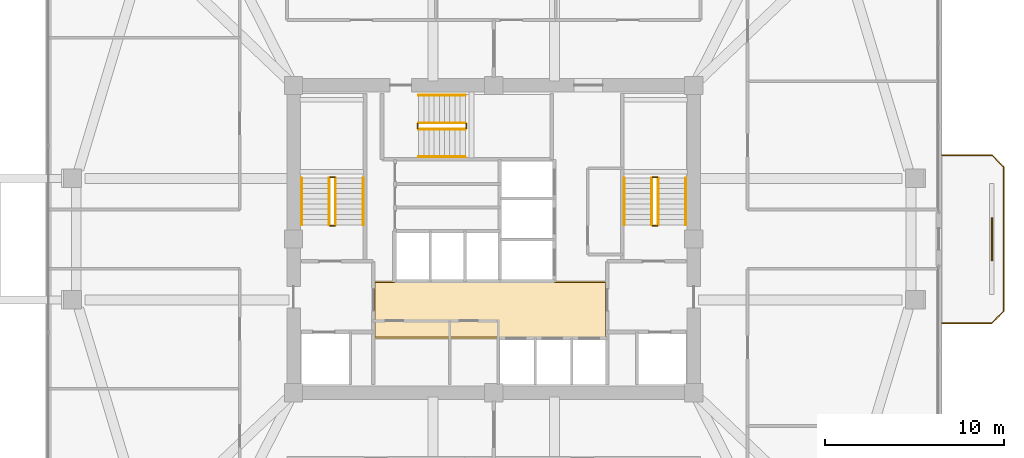
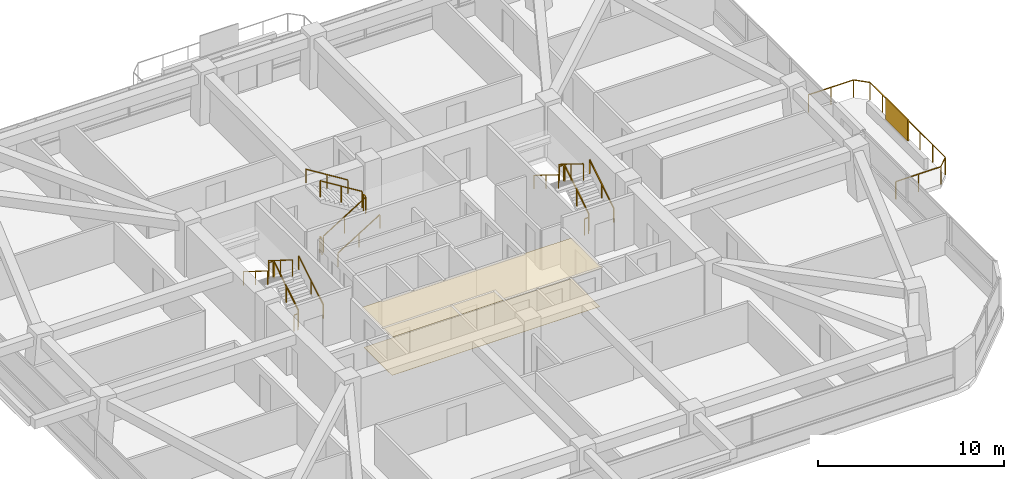
# One storey, part 12 of 13: 19 railings, 2 coverings, 1 shading device.
"""IFC4 building model written with IfcOpenShell, lengths in metres."""

from ifc_helpers import new_model, si_unit, derived_unit, direction, frame, origin, origin_2d, place, context, subcontext, project, spatial, polyline, rectangle, outline, extrude, material, layer, layer_set, type_object, element, save


model = new_model("IFC4")

# Units and contexts
model_context = context("Model", 3, precision=1e-05, world=origin(), true_north=direction((0.0, 1.0)))
body_context = subcontext(model_context, "Body", "Model", "MODEL_VIEW")
ifc_project = project(units=[si_unit("LENGTHUNIT", "METRE"), si_unit("AREAUNIT", "SQUARE_METRE"), si_unit("VOLUMEUNIT", "CUBIC_METRE"), si_unit("PLANEANGLEUNIT", "RADIAN"), si_unit("MASSUNIT", "GRAM", prefix="KILO"), derived_unit("THERMALTRANSMITTANCEUNIT", [(si_unit("POWERUNIT", "WATT"), 1), (si_unit("LENGTHUNIT", "METRE"), -2), (si_unit("THERMODYNAMICTEMPERATUREUNIT", "KELVIN"), -1)])], contexts=[model_context])

# Site, building, storey
site_placement = place(None, origin())
site = spatial("IfcSite", under=ifc_project, at=site_placement, CompositionType="ELEMENT")
building_placement = place(site_placement, origin())
building = spatial("IfcBuilding", under=site, at=building_placement, Name="Koralith Skygarden Medical Center", CompositionType="ELEMENT")
storey_placement = place(building_placement, frame((0.0, 0.0, 109.97998046875)))
storey = spatial("IfcBuildingStorey", under=building, at=storey_placement, Name="L28", CompositionType="ELEMENT", Elevation=109.97998046875)

# Covering
ifc_material_1 = material(Name="Acoustic Mineral Tile")
ifc_layer_1 = layer(ifc_material_1, 0.02001953125)
ifc_layer_set_1 = layer_set([ifc_layer_1], Name="Acoustic Mineral Tile")
covering_type_1 = type_object("IfcCoveringType", Name="Acoustic Hygienic Mineral Ceiling 20", PredefinedType="CEILING", material=ifc_layer_set_1)
covering_1_placement = place(storey_placement, frame((0.0, 0.0, 2.5849609375)))
element("IfcCovering", 1, at=covering_1_placement, inside=storey, type_object=covering_type_1, Name="L28 Core Lobby Acoustic Ceiling", PredefinedType="CEILING", context=body_context, shape_type="SweptSolid", body=[
    extrude(outline(polyline([(30.25, 20.320068359375), (43.35009765625, 20.320068359375), (43.35009765625, 23.56005859375), (30.25, 23.56005859375), (30.25, 20.320068359375)])), origin(), (0.0, 0.0, 1.0), 0.02001953125),
])

# Railing
ifc_material_2 = material(Name="Steel ASTM A500 Grade C", Category="steel")
railing_type_1 = type_object("IfcRailingType", Name="Outdoor Terrace & Balcony Safety Guardrail 1180", PredefinedType="GUARDRAIL", material=ifc_material_2)
railing_1_placement = place(storey_placement, frame((62.0859375, 21.199951171875, 0.0)))
element("IfcRailing", 2, at=railing_1_placement, inside=storey, type_object=railing_type_1, Name="L28 E Balcony Perimeter Guardrail", PredefinedType="GUARDRAIL", context=body_context, shape_type="SweptSolid", body=[
    extrude(rectangle(XDim=0.050048828125, YDim=0.050048828125, at=origin_2d()), frame((0.001953125, 0.0, 1.15478515625), z_axis=(1.0, 0.0, 0.0), x_axis=(0.0, 1.0, 0.0)), (0.0, 0.0, 1.0), 2.796142578125),
    extrude(rectangle(XDim=0.050048828125, YDim=0.050048828125, at=origin_2d()), frame((2.801513671875, 0.00146484375, 1.15478515625), z_axis=(0.706973978714, 0.707239558722, 0.0), x_axis=(-0.707239558722, 0.706973978714, 0.0)), (0.0, 0.0, 1.0), 0.915283203125),
    extrude(rectangle(XDim=0.050048828125, YDim=0.050048828125, at=origin_2d()), frame((3.449951171875, 0.652099609375, 1.15478515625), z_axis=(0.0, 1.0, 0.0), x_axis=(-1.0, 0.0, 0.0)), (0.0, 0.0, 1.0), 8.095947265625),
    extrude(rectangle(XDim=0.050048828125, YDim=0.050048828125, at=origin_2d()), frame((3.448486328125, 8.75146484375, 1.15478515625), z_axis=(-0.706973978714, 0.707239558722, 0.0), x_axis=(-0.707239558722, -0.706973978714, 0.0)), (0.0, 0.0, 1.0), 0.915283203125),
    extrude(rectangle(XDim=0.050048828125, YDim=0.050048828125, at=origin_2d()), frame((2.798095703125, 9.400146484375, 1.15478515625), z_axis=(-1.0, 0.0, 0.0), x_axis=(0.0, -1.0, 0.0)), (0.0, 0.0, 1.0), 2.796142578125),
    extrude(rectangle(XDim=0.0419921875, YDim=0.0419921875, at=origin_2d()), origin(), (0.0, 0.0, 1.0), 1.1279296875),
    extrude(rectangle(XDim=0.0419921875, YDim=0.0419921875, at=origin_2d()), frame((1.39990234375, 0.0, 0.0)), (0.0, 0.0, 1.0), 1.1279296875),
    extrude(rectangle(XDim=0.0419921875, YDim=0.0419921875, at=origin_2d()), frame((2.800048828125, 0.0, 0.0)), (0.0, 0.0, 1.0), 1.1279296875),
    extrude(rectangle(XDim=0.0419921875, YDim=0.0419921875, at=origin_2d()), frame((3.449951171875, 0.650146484375, 0.0)), (0.0, 0.0, 1.0), 1.1279296875),
    extrude(rectangle(XDim=0.0419921875, YDim=0.0419921875, at=origin_2d()), frame((3.449951171875, 2.0, 0.0)), (0.0, 0.0, 1.0), 1.1279296875),
    extrude(rectangle(XDim=0.0419921875, YDim=0.0419921875, at=origin_2d()), frame((3.449951171875, 3.35009765625, 0.0)), (0.0, 0.0, 1.0), 1.1279296875),
    extrude(rectangle(XDim=0.0419921875, YDim=0.0419921875, at=origin_2d()), frame((3.449951171875, 4.7001953125, 0.0)), (0.0, 0.0, 1.0), 1.1279296875),
    extrude(rectangle(XDim=0.0419921875, YDim=0.0419921875, at=origin_2d()), frame((3.449951171875, 6.050048828125, 0.0)), (0.0, 0.0, 1.0), 1.1279296875),
    extrude(rectangle(XDim=0.0419921875, YDim=0.0419921875, at=origin_2d()), frame((3.449951171875, 7.39990234375, 0.0)), (0.0, 0.0, 1.0), 1.1279296875),
    extrude(rectangle(XDim=0.0419921875, YDim=0.0419921875, at=origin_2d()), frame((3.449951171875, 8.75, 0.0)), (0.0, 0.0, 1.0), 1.1279296875),
    extrude(rectangle(XDim=0.0419921875, YDim=0.0419921875, at=origin_2d()), frame((2.800048828125, 9.400146484375, 0.0)), (0.0, 0.0, 1.0), 1.1279296875),
    extrude(rectangle(XDim=0.0419921875, YDim=0.0419921875, at=origin_2d()), frame((1.39990234375, 9.400146484375, 0.0)), (0.0, 0.0, 1.0), 1.1279296875),
    extrude(rectangle(XDim=0.0419921875, YDim=0.0419921875, at=origin_2d()), frame((0.0, 9.400146484375, 0.0)), (0.0, 0.0, 1.0), 1.1279296875),
])

# Shading device
ifc_material_3 = material(Name="Aluminium 6063-T6", Category="aluminium")
ifc_layer_2 = layer(ifc_material_3, 0.080078125)
ifc_layer_set_2 = layer_set([ifc_layer_2], Name="Aluminium 6063-T6")
shading_device_type = type_object("IfcShadingDeviceType", Name="Perforated Biophilic Balcony Trellis Screen", PredefinedType="USERDEFINED", material=ifc_layer_set_2)
shading_device_placement = place(storey_placement, frame((64.885986328125, 25.89990234375, 0.719970703125), z_axis=(0.0, 0.0, 1.0), x_axis=(0.0, 1.0, 0.0)))
element("IfcShadingDevice", 3, at=shading_device_placement, inside=storey, type_object=shading_device_type, Name="L28 E Biophilic Balcony Trellis Screen", ObjectType="HURRICANE SCREEN", PredefinedType="USERDEFINED", context=body_context, shape_type="SweptSolid", body=[
    extrude(rectangle(XDim=2.39990234375, YDim=0.080078125, at=origin_2d()), origin(), (0.0, 0.0, 1.0), 1.39990234375),
])

# Covering
ifc_material_4 = material(Name="Medical Terrazzo Flooring")
ifc_layer_3 = layer(ifc_material_4, 0.014892578125)
ifc_layer_set_3 = layer_set([ifc_layer_3], Name="Medical Terrazzo Flooring")
covering_type_2 = type_object("IfcCoveringType", Name="Seamless Antimicrobial Terrazzo Flooring 15", PredefinedType="FLOORING", material=ifc_layer_set_3)
covering_2_placement = place(storey_placement, origin())
element("IfcCovering", 4, at=covering_2_placement, inside=storey, type_object=covering_type_2, Name="L28 Core Lobby Terrazzo Flooring", PredefinedType="FLOORING", context=body_context, shape_type="SweptSolid", body=[
    extrude(outline(polyline([(30.35009765625, 20.419921875), (43.25, 20.419921875), (43.25, 23.4599609375), (30.35009765625, 23.4599609375), (30.35009765625, 20.419921875)])), origin(), (0.0, 0.0, 1.0), 0.01513671875),
])

# Railings
railing_type_2 = type_object("IfcRailingType", Name="Stair Flight Tubular Handrail 920", PredefinedType="HANDRAIL", material=ifc_material_2)
railing_2_placement = place(storey_placement, frame((29.699951171875, 26.699951171875, 0.179931640625)))
element("IfcRailing", 5, at=railing_2_placement, inside=storey, type_object=railing_type_2, Name="L28 ST1 stair handrail 1", PredefinedType="HANDRAIL", context=body_context, shape_type="SweptSolid", body=[
    extrude(rectangle(XDim=0.050048828125, YDim=0.050048828125, at=origin_2d()), frame((0.0, 0.001708984375, 0.89599609375), z_axis=(0.0, 0.849632798774, 0.527374731332), x_axis=(-1.0, 0.0, 0.0)), (0.0, 0.0, 1.0), 3.068115234375),
    extrude(rectangle(XDim=0.0419921875, YDim=0.0419921875, at=origin_2d()), origin(), (0.0, 0.0, 1.0), 0.867919921875),
    extrude(rectangle(XDim=0.0419921875, YDim=0.0419921875, at=origin_2d()), frame((0.0, 1.30517578125, 0.81005859375)), (0.0, 0.0, 1.0), 0.867919921875),
    extrude(rectangle(XDim=0.0419921875, YDim=0.0419921875, at=origin_2d()), frame((0.0, 2.610107421875, 1.6201171875)), (0.0, 0.0, 1.0), 0.867919921875),
])
railing_3_placement = place(storey_placement, frame((26.25, 29.31005859375, 1.97998046875)))
element("IfcRailing", 6, at=railing_3_placement, inside=storey, type_object=railing_type_2, Name="L28 ST1 stair handrail 2", PredefinedType="HANDRAIL", context=body_context, shape_type="SweptSolid", body=[
    extrude(rectangle(XDim=0.050048828125, YDim=0.050048828125, at=origin_2d()), frame((0.0, -0.001708984375, 0.89599609375), z_axis=(0.0, -0.849632798774, 0.527374731332), x_axis=(1.0, 0.0, 0.0)), (0.0, 0.0, 1.0), 3.068115234375),
    extrude(rectangle(XDim=0.0419921875, YDim=0.0419921875, at=origin_2d()), origin(), (0.0, 0.0, 1.0), 0.867919921875),
    extrude(rectangle(XDim=0.0419921875, YDim=0.0419921875, at=origin_2d()), frame((0.0, -1.30517578125, 0.81005859375)), (0.0, 0.0, 1.0), 0.867919921875),
    extrude(rectangle(XDim=0.0419921875, YDim=0.0419921875, at=origin_2d()), frame((0.0, -2.610107421875, 1.6201171875)), (0.0, 0.0, 1.0), 0.867919921875),
])
railing_4_placement = place(storey_placement, frame((47.75, 26.699951171875, 0.179931640625)))
element("IfcRailing", 7, at=railing_4_placement, inside=storey, type_object=railing_type_2, Name="L28 ST2 stair handrail 1", PredefinedType="HANDRAIL", context=body_context, shape_type="SweptSolid", body=[
    extrude(rectangle(XDim=0.050048828125, YDim=0.050048828125, at=origin_2d()), frame((0.0, 0.001708984375, 0.89599609375), z_axis=(0.0, 0.849632798774, 0.527374731332), x_axis=(-1.0, 0.0, 0.0)), (0.0, 0.0, 1.0), 3.068115234375),
    extrude(rectangle(XDim=0.0419921875, YDim=0.0419921875, at=origin_2d()), origin(), (0.0, 0.0, 1.0), 0.867919921875),
    extrude(rectangle(XDim=0.0419921875, YDim=0.0419921875, at=origin_2d()), frame((0.0, 1.30517578125, 0.81005859375)), (0.0, 0.0, 1.0), 0.867919921875),
    extrude(rectangle(XDim=0.0419921875, YDim=0.0419921875, at=origin_2d()), frame((0.0, 2.610107421875, 1.6201171875)), (0.0, 0.0, 1.0), 0.867919921875),
])
railing_5_placement = place(storey_placement, frame((44.300048828125, 29.31005859375, 1.97998046875)))
element("IfcRailing", 8, at=railing_5_placement, inside=storey, type_object=railing_type_2, Name="L28 ST2 stair handrail 2", PredefinedType="HANDRAIL", context=body_context, shape_type="SweptSolid", body=[
    extrude(rectangle(XDim=0.050048828125, YDim=0.050048828125, at=origin_2d()), frame((0.0, -0.001708984375, 0.89599609375), z_axis=(0.0, -0.849632798774, 0.527374731332), x_axis=(1.0, 0.0, 0.0)), (0.0, 0.0, 1.0), 3.068115234375),
    extrude(rectangle(XDim=0.0419921875, YDim=0.0419921875, at=origin_2d()), origin(), (0.0, 0.0, 1.0), 0.867919921875),
    extrude(rectangle(XDim=0.0419921875, YDim=0.0419921875, at=origin_2d()), frame((0.0, -1.30517578125, 0.81005859375)), (0.0, 0.0, 1.0), 0.867919921875),
    extrude(rectangle(XDim=0.0419921875, YDim=0.0419921875, at=origin_2d()), frame((0.0, -2.610107421875, 1.6201171875)), (0.0, 0.0, 1.0), 0.867919921875),
])
railing_6_placement = place(storey_placement, frame((32.800048828125, 30.5, 0.179931640625)))
element("IfcRailing", 9, at=railing_6_placement, inside=storey, type_object=railing_type_2, Name="L28 ST3 stair handrail 1", PredefinedType="HANDRAIL", context=body_context, shape_type="SweptSolid", body=[
    extrude(rectangle(XDim=0.050048828125, YDim=0.050048828125, at=origin_2d()), frame((0.001708984375, 0.0, 0.89599609375), z_axis=(0.849610693518, 0.0, 0.52741034258), x_axis=(0.0, 1.0, 0.0)), (0.0, 0.0, 1.0), 3.06787109375),
    extrude(rectangle(XDim=0.0419921875, YDim=0.0419921875, at=origin_2d()), origin(), (0.0, 0.0, 1.0), 0.867919921875),
    extrude(rectangle(XDim=0.0419921875, YDim=0.0419921875, at=origin_2d()), frame((1.304931640625, 0.0, 0.81005859375)), (0.0, 0.0, 1.0), 0.867919921875),
    extrude(rectangle(XDim=0.0419921875, YDim=0.0419921875, at=origin_2d()), frame((2.60986328125, 0.0, 1.6201171875)), (0.0, 0.0, 1.0), 0.867919921875),
])
railing_7_placement = place(storey_placement, frame((35.409912109375, 33.949951171875, 1.97998046875)))
element("IfcRailing", 10, at=railing_7_placement, inside=storey, type_object=railing_type_2, Name="L28 ST3 stair handrail 2", PredefinedType="HANDRAIL", context=body_context, shape_type="SweptSolid", body=[
    extrude(rectangle(XDim=0.050048828125, YDim=0.050048828125, at=origin_2d()), frame((-0.001708984375, 0.0, 0.89599609375), z_axis=(-0.849610693518, 0.0, 0.52741034258), x_axis=(0.0, -1.0, 0.0)), (0.0, 0.0, 1.0), 3.06787109375),
    extrude(rectangle(XDim=0.0419921875, YDim=0.0419921875, at=origin_2d()), origin(), (0.0, 0.0, 1.0), 0.867919921875),
    extrude(rectangle(XDim=0.0419921875, YDim=0.0419921875, at=origin_2d()), frame((-1.304931640625, 0.0, 0.81005859375)), (0.0, 0.0, 1.0), 0.867919921875),
    extrude(rectangle(XDim=0.0419921875, YDim=0.0419921875, at=origin_2d()), frame((-2.60986328125, 0.0, 1.6201171875)), (0.0, 0.0, 1.0), 0.867919921875),
])
railing_type_3 = type_object("IfcRailingType", Name="Stair Well Safety Guardrail 1100", PredefinedType="GUARDRAIL", material=ifc_material_2)
railing_8_placement = place(storey_placement, frame((28.14990234375, 26.699951171875, 0.179931640625)))
element("IfcRailing", 11, at=railing_8_placement, inside=storey, type_object=railing_type_3, Name="L28 ST1 stair guard 1", PredefinedType="GUARDRAIL", context=body_context, shape_type="SweptSolid", body=[
    extrude(rectangle(XDim=0.050048828125, YDim=0.050048828125, at=origin_2d()), frame((0.0, 0.001708984375, 1.076171875), z_axis=(0.0, 0.849632798774, 0.527374731332), x_axis=(-1.0, 0.0, 0.0)), (0.0, 0.0, 1.0), 3.068115234375),
    extrude(rectangle(XDim=0.0419921875, YDim=0.0419921875, at=origin_2d()), origin(), (0.0, 0.0, 1.0), 1.048095703125),
    extrude(rectangle(XDim=0.0419921875, YDim=0.0419921875, at=origin_2d()), frame((0.0, 1.30517578125, 0.81005859375)), (0.0, 0.0, 1.0), 1.048095703125),
    extrude(rectangle(XDim=0.0419921875, YDim=0.0419921875, at=origin_2d()), frame((0.0, 2.610107421875, 1.6201171875)), (0.0, 0.0, 1.0), 1.048095703125),
])
railing_9_placement = place(storey_placement, frame((28.10009765625, 29.360107421875, 1.800048828125)))
element("IfcRailing", 12, at=railing_9_placement, inside=storey, type_object=railing_type_3, Name="L28 ST1 stair guard 2", PredefinedType="GUARDRAIL", context=body_context, shape_type="SweptSolid", body=[
    extrude(rectangle(XDim=0.050048828125, YDim=0.050048828125, at=origin_2d()), frame((-0.001953125, 0.0, 1.0751953125), z_axis=(-1.0, 0.0, 0.0), x_axis=(0.0, -1.0, 0.0)), (0.0, 0.0, 1.0), 0.24609375),
    extrude(rectangle(XDim=0.0419921875, YDim=0.0419921875, at=origin_2d()), origin(), (0.0, 0.0, 1.0), 1.048095703125),
    extrude(rectangle(XDim=0.0419921875, YDim=0.0419921875, at=origin_2d()), frame((-0.25, 0.0, 0.0)), (0.0, 0.0, 1.0), 1.048095703125),
])
railing_10_placement = place(storey_placement, frame((27.800048828125, 29.31005859375, 1.97998046875)))
element("IfcRailing", 13, at=railing_10_placement, inside=storey, type_object=railing_type_3, Name="L28 ST1 stair guard 3", PredefinedType="GUARDRAIL", context=body_context, shape_type="SweptSolid", body=[
    extrude(rectangle(XDim=0.050048828125, YDim=0.050048828125, at=origin_2d()), frame((0.0, -0.001708984375, 1.076171875), z_axis=(0.0, -0.849632798774, 0.527374731332), x_axis=(1.0, 0.0, 0.0)), (0.0, 0.0, 1.0), 3.068115234375),
    extrude(rectangle(XDim=0.0419921875, YDim=0.0419921875, at=origin_2d()), origin(), (0.0, 0.0, 1.0), 1.048095703125),
    extrude(rectangle(XDim=0.0419921875, YDim=0.0419921875, at=origin_2d()), frame((0.0, -1.30517578125, 0.81005859375)), (0.0, 0.0, 1.0), 1.048095703125),
    extrude(rectangle(XDim=0.0419921875, YDim=0.0419921875, at=origin_2d()), frame((0.0, -2.610107421875, 1.6201171875)), (0.0, 0.0, 1.0), 1.048095703125),
])
railing_11_placement = place(storey_placement, frame((28.10009765625, 26.64990234375, 0.0)))
element("IfcRailing", 14, at=railing_11_placement, inside=storey, type_object=railing_type_3, Name="L28 ST1 stair guard 4", PredefinedType="GUARDRAIL", context=body_context, shape_type="SweptSolid", body=[
    extrude(rectangle(XDim=0.050048828125, YDim=0.050048828125, at=origin_2d()), frame((-0.001953125, 0.0, 1.0751953125), z_axis=(-1.0, 0.0, 0.0), x_axis=(0.0, -1.0, 0.0)), (0.0, 0.0, 1.0), 0.24609375),
    extrude(rectangle(XDim=0.0419921875, YDim=0.0419921875, at=origin_2d()), origin(), (0.0, 0.0, 1.0), 1.048095703125),
    extrude(rectangle(XDim=0.0419921875, YDim=0.0419921875, at=origin_2d()), frame((-0.25, 0.0, 0.0)), (0.0, 0.0, 1.0), 1.048095703125),
])
railing_12_placement = place(storey_placement, frame((46.199951171875, 26.699951171875, 0.179931640625)))
element("IfcRailing", 15, at=railing_12_placement, inside=storey, type_object=railing_type_3, Name="L28 ST2 stair guard 1", PredefinedType="GUARDRAIL", context=body_context, shape_type="SweptSolid", body=[
    extrude(rectangle(XDim=0.050048828125, YDim=0.050048828125, at=origin_2d()), frame((0.0, 0.001708984375, 1.076171875), z_axis=(0.0, 0.849632798774, 0.527374731332), x_axis=(-1.0, 0.0, 0.0)), (0.0, 0.0, 1.0), 3.068115234375),
    extrude(rectangle(XDim=0.0419921875, YDim=0.0419921875, at=origin_2d()), origin(), (0.0, 0.0, 1.0), 1.048095703125),
    extrude(rectangle(XDim=0.0419921875, YDim=0.0419921875, at=origin_2d()), frame((0.0, 1.30517578125, 0.81005859375)), (0.0, 0.0, 1.0), 1.048095703125),
    extrude(rectangle(XDim=0.0419921875, YDim=0.0419921875, at=origin_2d()), frame((0.0, 2.610107421875, 1.6201171875)), (0.0, 0.0, 1.0), 1.048095703125),
])
railing_13_placement = place(storey_placement, frame((46.14990234375, 29.360107421875, 1.800048828125)))
element("IfcRailing", 16, at=railing_13_placement, inside=storey, type_object=railing_type_3, Name="L28 ST2 stair guard 2", PredefinedType="GUARDRAIL", context=body_context, shape_type="SweptSolid", body=[
    extrude(rectangle(XDim=0.050048828125, YDim=0.050048828125, at=origin_2d()), frame((-0.001953125, 0.0, 1.0751953125), z_axis=(-1.0, 0.0, 0.0), x_axis=(0.0, -1.0, 0.0)), (0.0, 0.0, 1.0), 0.24609375),
    extrude(rectangle(XDim=0.0419921875, YDim=0.0419921875, at=origin_2d()), origin(), (0.0, 0.0, 1.0), 1.048095703125),
    extrude(rectangle(XDim=0.0419921875, YDim=0.0419921875, at=origin_2d()), frame((-0.25, 0.0, 0.0)), (0.0, 0.0, 1.0), 1.048095703125),
])
railing_14_placement = place(storey_placement, frame((45.85009765625, 29.31005859375, 1.97998046875)))
element("IfcRailing", 17, at=railing_14_placement, inside=storey, type_object=railing_type_3, Name="L28 ST2 stair guard 3", PredefinedType="GUARDRAIL", context=body_context, shape_type="SweptSolid", body=[
    extrude(rectangle(XDim=0.050048828125, YDim=0.050048828125, at=origin_2d()), frame((0.0, -0.001708984375, 1.076171875), z_axis=(0.0, -0.849632798774, 0.527374731332), x_axis=(1.0, 0.0, 0.0)), (0.0, 0.0, 1.0), 3.068115234375),
    extrude(rectangle(XDim=0.0419921875, YDim=0.0419921875, at=origin_2d()), origin(), (0.0, 0.0, 1.0), 1.048095703125),
    extrude(rectangle(XDim=0.0419921875, YDim=0.0419921875, at=origin_2d()), frame((0.0, -1.30517578125, 0.81005859375)), (0.0, 0.0, 1.0), 1.048095703125),
    extrude(rectangle(XDim=0.0419921875, YDim=0.0419921875, at=origin_2d()), frame((0.0, -2.610107421875, 1.6201171875)), (0.0, 0.0, 1.0), 1.048095703125),
])
railing_15_placement = place(storey_placement, frame((46.14990234375, 26.64990234375, 0.0)))
element("IfcRailing", 18, at=railing_15_placement, inside=storey, type_object=railing_type_3, Name="L28 ST2 stair guard 4", PredefinedType="GUARDRAIL", context=body_context, shape_type="SweptSolid", body=[
    extrude(rectangle(XDim=0.050048828125, YDim=0.050048828125, at=origin_2d()), frame((-0.001953125, 0.0, 1.0751953125), z_axis=(-1.0, 0.0, 0.0), x_axis=(0.0, -1.0, 0.0)), (0.0, 0.0, 1.0), 0.24609375),
    extrude(rectangle(XDim=0.0419921875, YDim=0.0419921875, at=origin_2d()), origin(), (0.0, 0.0, 1.0), 1.048095703125),
    extrude(rectangle(XDim=0.0419921875, YDim=0.0419921875, at=origin_2d()), frame((-0.25, 0.0, 0.0)), (0.0, 0.0, 1.0), 1.048095703125),
])
railing_16_placement = place(storey_placement, frame((32.800048828125, 32.050048828125, 0.179931640625)))
element("IfcRailing", 19, at=railing_16_placement, inside=storey, type_object=railing_type_3, Name="L28 ST3 stair guard 1", PredefinedType="GUARDRAIL", context=body_context, shape_type="SweptSolid", body=[
    extrude(rectangle(XDim=0.050048828125, YDim=0.050048828125, at=origin_2d()), frame((0.001708984375, 0.0, 1.076171875), z_axis=(0.849610693518, 0.0, 0.52741034258), x_axis=(0.0, 1.0, 0.0)), (0.0, 0.0, 1.0), 3.06787109375),
    extrude(rectangle(XDim=0.0419921875, YDim=0.0419921875, at=origin_2d()), origin(), (0.0, 0.0, 1.0), 1.048095703125),
    extrude(rectangle(XDim=0.0419921875, YDim=0.0419921875, at=origin_2d()), frame((1.304931640625, 0.0, 0.81005859375)), (0.0, 0.0, 1.0), 1.048095703125),
    extrude(rectangle(XDim=0.0419921875, YDim=0.0419921875, at=origin_2d()), frame((2.60986328125, 0.0, 1.6201171875)), (0.0, 0.0, 1.0), 1.048095703125),
])
railing_17_placement = place(storey_placement, frame((35.4599609375, 32.10009765625, 1.800048828125)))
element("IfcRailing", 20, at=railing_17_placement, inside=storey, type_object=railing_type_3, Name="L28 ST3 stair guard 2", PredefinedType="GUARDRAIL", context=body_context, shape_type="SweptSolid", body=[
    extrude(rectangle(XDim=0.050048828125, YDim=0.050048828125, at=origin_2d()), frame((0.0, 0.001953125, 1.0751953125), z_axis=(0.0, 1.0, 0.0), x_axis=(-1.0, 0.0, 0.0)), (0.0, 0.0, 1.0), 0.24609375),
    extrude(rectangle(XDim=0.0419921875, YDim=0.0419921875, at=origin_2d()), origin(), (0.0, 0.0, 1.0), 1.048095703125),
    extrude(rectangle(XDim=0.0419921875, YDim=0.0419921875, at=origin_2d()), frame((0.0, 0.25, 0.0)), (0.0, 0.0, 1.0), 1.048095703125),
])
railing_18_placement = place(storey_placement, frame((35.409912109375, 32.39990234375, 1.97998046875)))
element("IfcRailing", 21, at=railing_18_placement, inside=storey, type_object=railing_type_3, Name="L28 ST3 stair guard 3", PredefinedType="GUARDRAIL", context=body_context, shape_type="SweptSolid", body=[
    extrude(rectangle(XDim=0.050048828125, YDim=0.050048828125, at=origin_2d()), frame((-0.001708984375, 0.0, 1.076171875), z_axis=(-0.849610693518, 0.0, 0.52741034258), x_axis=(0.0, -1.0, 0.0)), (0.0, 0.0, 1.0), 3.06787109375),
    extrude(rectangle(XDim=0.0419921875, YDim=0.0419921875, at=origin_2d()), origin(), (0.0, 0.0, 1.0), 1.048095703125),
    extrude(rectangle(XDim=0.0419921875, YDim=0.0419921875, at=origin_2d()), frame((-1.304931640625, 0.0, 0.81005859375)), (0.0, 0.0, 1.0), 1.048095703125),
    extrude(rectangle(XDim=0.0419921875, YDim=0.0419921875, at=origin_2d()), frame((-2.60986328125, 0.0, 1.6201171875)), (0.0, 0.0, 1.0), 1.048095703125),
])
railing_19_placement = place(storey_placement, frame((32.75, 32.10009765625, 0.0)))
element("IfcRailing", 22, at=railing_19_placement, inside=storey, type_object=railing_type_3, Name="L28 ST3 stair guard 4", PredefinedType="GUARDRAIL", context=body_context, shape_type="SweptSolid", body=[
    extrude(rectangle(XDim=0.050048828125, YDim=0.050048828125, at=origin_2d()), frame((0.0, 0.001953125, 1.0751953125), z_axis=(0.0, 1.0, 0.0), x_axis=(-1.0, 0.0, 0.0)), (0.0, 0.0, 1.0), 0.24609375),
    extrude(rectangle(XDim=0.0419921875, YDim=0.0419921875, at=origin_2d()), origin(), (0.0, 0.0, 1.0), 1.048095703125),
    extrude(rectangle(XDim=0.0419921875, YDim=0.0419921875, at=origin_2d()), frame((0.0, 0.25, 0.0)), (0.0, 0.0, 1.0), 1.048095703125),
])

save(model, "model.ifc")
